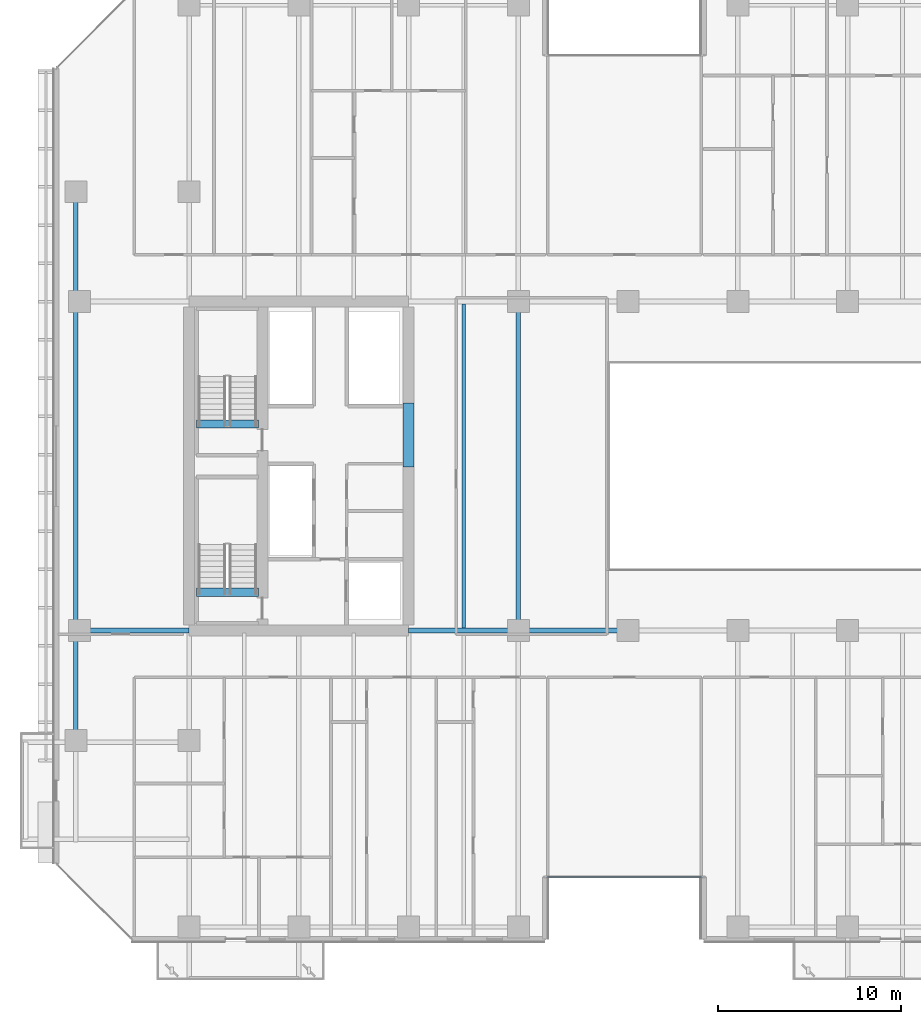
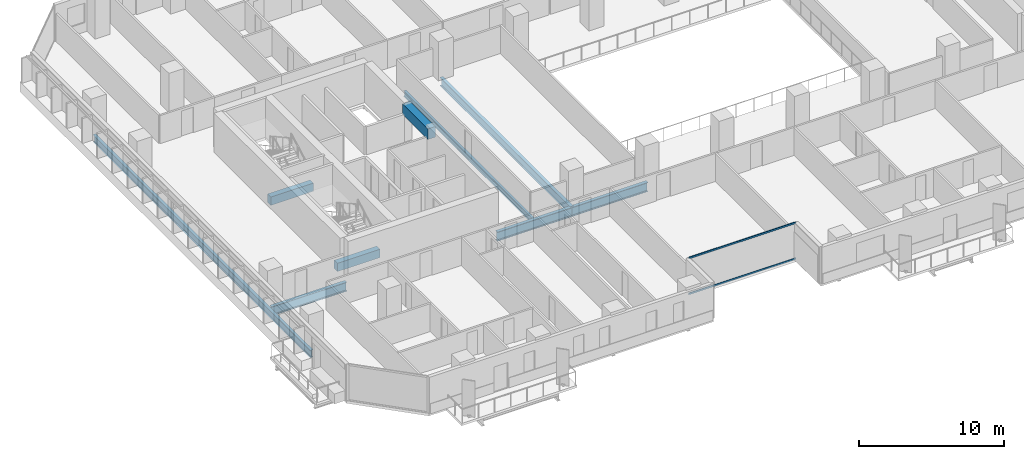
# One storey, part 5 of 33: 9 beams, 2 members, 1 element without a shape of its own.
"""IFC4 building model written with IfcOpenShell, lengths in metres."""

from ifc_helpers import new_model, si_unit, direction, frame, origin, origin_2d, place, context, subcontext, project, spatial, rectangle, hollow_rectangle, i_section, extrude, material, layer, layer_set, material_profile, profile_set, type_object, element, aggregate, save


model = new_model("IFC4")

# Units and contexts
model_context = context("Model", 3, precision=1e-05, world=origin(), true_north=direction((0.0, 1.0)))
body_context = subcontext(model_context, "Body", "Model", "MODEL_VIEW")
ifc_project = project(units=[si_unit("LENGTHUNIT", "METRE"), si_unit("AREAUNIT", "SQUARE_METRE"), si_unit("VOLUMEUNIT", "CUBIC_METRE"), si_unit("PLANEANGLEUNIT", "RADIAN"), si_unit("MASSUNIT", "GRAM", prefix="KILO")], contexts=[model_context])

# Site, building, storey
site_placement = place(None, origin())
site = spatial("IfcSite", under=ifc_project, at=site_placement, CompositionType="ELEMENT")
building_placement = place(site_placement, origin())
building = spatial("IfcBuilding", under=site, at=building_placement, Name="Tanjung Sevakor Pilgrim Tower", CompositionType="ELEMENT")
storey_placement = place(building_placement, frame((0.0, 0.0, 35.639892578125)))
storey = spatial("IfcBuildingStorey", under=building, at=storey_placement, Name="L09", CompositionType="ELEMENT", Elevation=35.639892578125)

# Beams
ifc_material_1 = material(Name="Steel S355J2", Category="steel")
ifc_material_profile_1 = material_profile(ifc_material_1, i_section(OverallWidth=0.26806640625, OverallDepth=0.769775390625, WebThickness=0.015625, FlangeThickness=0.025390625, FilletRadius=0.0166015625, at=origin_2d()))
ifc_profile_set_1 = profile_set([ifc_material_profile_1], Name="Steel S355J2")
beam_type_1 = type_object("IfcBeamType", Name="BM-B-G1-UB_762x267x197", PredefinedType="BEAM", material=ifc_profile_set_1)
for number, where, z_axis, x_axis, name in (
    (1, (18.0, 24.60009765625, -0.604736328125), (1.0, 0.0, 0.0), (0.0, 1.0, 0.0), "L09 Primary Floor Girder MAIN Y246-01"),
    (2, (36.0, 24.60009765625, -0.604736328125), (1.0, 0.0, 0.0), (0.0, 1.0, 0.0), "L09 Primary Floor Girder MAIN Y246-02"),
    (3, (42.0, 24.60009765625, -0.604736328125), (1.0, 0.0, 0.0), (0.0, 1.0, 0.0), "L09 Primary Floor Girder MAIN Y246-03"),
):
    element("IfcBeam", number, at=place(storey_placement, frame(where, z_axis=z_axis, x_axis=x_axis)), inside=storey, type_object=beam_type_1, Name=name, PredefinedType="BEAM", context=body_context, shape_type="SweptSolid", body=[
        extrude(i_section(OverallWidth=0.26806640625, OverallDepth=0.769775390625, WebThickness=0.015625, FlangeThickness=0.025390625, FilletRadius=0.0166015625, at=origin_2d()), origin(), (0.0, 0.0, 1.0), 6.0),
    ])
ifc_material_2 = material(Name="Steel S355J2", Category="steel")
ifc_material_profile_2 = material_profile(ifc_material_2, i_section(OverallWidth=0.25439453125, OverallDepth=0.6875, WebThickness=0.01318359375, FlangeThickness=0.02099609375, FilletRadius=0.01513671875, at=origin_2d()))
ifc_profile_set_2 = profile_set([ifc_material_profile_2], Name="Steel S355J2")
beam_type_2 = type_object("IfcBeamType", Name="BM-B-G2-UB_686x254x152", PredefinedType="BEAM", material=ifc_profile_set_2)
beam_1_placement = place(storey_placement, frame((42.0, 24.60009765625, -0.5634765625), z_axis=(0.0, 1.0, 0.0), x_axis=(-1.0, 0.0, 0.0)))
element("IfcBeam", 4, at=beam_1_placement, inside=storey, type_object=beam_type_2, Name="L09 MAIN Girder 011", PredefinedType="BEAM", context=body_context, shape_type="SweptSolid", body=[
    extrude(i_section(OverallWidth=0.25439453125, OverallDepth=0.6875, WebThickness=0.01318359375, FlangeThickness=0.02099609375, FilletRadius=0.01513671875, at=origin_2d()), origin(), (0.0, 0.0, 1.0), 18.0),
])
ifc_material_3 = material(Name="Steel S355J2", Category="steel")
ifc_material_profile_3 = material_profile(ifc_material_3, i_section(OverallWidth=0.22900390625, OverallDepth=0.6123046875, WebThickness=0.011962890625, FlangeThickness=0.01953125, FilletRadius=0.0126953125, at=origin_2d()))
ifc_profile_set_3 = profile_set([ifc_material_profile_3], Name="Steel S355J2")
beam_type_3 = type_object("IfcBeamType", Name="BM-B-G4-UB_610x229x125", PredefinedType="BEAM", material=ifc_profile_set_3)
beam_2_placement = place(storey_placement, frame((17.800048828125, 18.60009765625, -0.52587890625), z_axis=(0.0, 1.0, 0.0), x_axis=(-1.0, 0.0, 0.0)))
element("IfcBeam", 5, at=beam_2_placement, inside=storey, type_object=beam_type_3, Name="L09 Short-End Edge Girder W", PredefinedType="BEAM", context=body_context, shape_type="SweptSolid", body=[
    extrude(i_section(OverallWidth=0.22900390625, OverallDepth=0.6123046875, WebThickness=0.011962890625, FlangeThickness=0.01953125, FilletRadius=0.0126953125, at=origin_2d()), origin(), (0.0, 0.0, 1.0), 30.0),
])
ifc_material_4 = material(Name="Steel S355J2", Category="steel")
ifc_material_profile_4 = material_profile(ifc_material_4, i_section(OverallWidth=0.19140625, OverallDepth=0.4599609375, WebThickness=0.010009765625, FlangeThickness=0.01611328125, FilletRadius=0.01025390625, at=origin_2d()))
ifc_profile_set_4 = profile_set([ifc_material_profile_4], Name="Steel S355J2")
beam_type_4 = type_object("IfcBeamType", Name="BM-B-J2-UB_457x191x82", PredefinedType="JOIST", material=ifc_profile_set_4)
beam_3_placement = place(storey_placement, frame((39.0, 24.73388671875, -0.449951171875), z_axis=(0.0, 1.0, 0.0), x_axis=(-1.0, 0.0, 0.0)))
element("IfcBeam", 6, at=beam_3_placement, inside=storey, type_object=beam_type_4, Name="L09 MAIN Joist 008", PredefinedType="JOIST", context=body_context, shape_type="SweptSolid", body=[
    extrude(i_section(OverallWidth=0.19140625, OverallDepth=0.4599609375, WebThickness=0.010009765625, FlangeThickness=0.01611328125, FilletRadius=0.01025390625, at=origin_2d()), origin(), (0.0, 0.0, 1.0), 17.732177734375),
])
ifc_material_5 = material(Name="Concrete C60/75", Category="concrete")
ifc_material_profile_5 = material_profile(ifc_material_5, rectangle(XDim=0.60009765625, YDim=0.89990234375, at=origin_2d()))
ifc_profile_set_5 = profile_set([ifc_material_profile_5], Name="Concrete C60/75")
beam_type_5 = type_object("IfcBeamType", Name="BM-B-LN1-RC-BM_600x900", PredefinedType="LINTEL", material=ifc_profile_set_5)
beam_4_placement = place(storey_placement, frame((36.0, 33.550048828125, 2.630126953125), z_axis=(0.0, 1.0, 0.0), x_axis=(-1.0, 0.0, 0.0)))
element("IfcBeam", 7, at=beam_4_placement, inside=storey, type_object=beam_type_5, Name="L09 W Core Coupling Lintel", PredefinedType="LINTEL", context=body_context, shape_type="SweptSolid", body=[
    extrude(rectangle(XDim=0.60009765625, YDim=0.89990234375, at=origin_2d()), origin(), (0.0, 0.0, 1.0), 3.5),
])
ifc_material_6 = material(Name="Concrete C60/75", Category="concrete")
ifc_material_profile_6 = material_profile(ifc_material_6, rectangle(XDim=0.449951171875, YDim=0.699951171875, at=origin_2d()))
ifc_profile_set_6 = profile_set([ifc_material_profile_6], Name="Concrete C60/75")
beam_type_6 = type_object("IfcBeamType", Name="BM-B-LN3-RC-BM_450x700", PredefinedType="LINTEL", material=ifc_profile_set_6)
for number, where, z_axis, x_axis, name in (
    (8, (24.39990234375, 26.699951171875, -0.349853515625), (1.0, 0.0, 0.0), (0.0, 1.0, 0.0), "L09 TS-W1 Stair Threshold Beam"),
    (9, (24.39990234375, 35.89990234375, -0.349853515625), (1.0, 0.0, 0.0), (0.0, 1.0, 0.0), "L09 TS-W2 Stair Threshold Beam"),
):
    element("IfcBeam", number, at=place(storey_placement, frame(where, z_axis=z_axis, x_axis=x_axis)), inside=storey, type_object=beam_type_6, Name=name, PredefinedType="LINTEL", context=body_context, shape_type="SweptSolid", body=[
        extrude(rectangle(XDim=0.449951171875, YDim=0.699951171875, at=origin_2d()), origin(), (0.0, 0.0, 1.0), 3.400146484375),
    ])

# Curtain wall, members
ifc_material_7 = material(Name="Aluminium 6063-T6 and Low-E Glass", Category="aluminium")
ifc_layer = layer(ifc_material_7, 0.179931640625)
ifc_layer_set = layer_set([ifc_layer], Name="CW-SYS-CLEFT")
curtain_wall_type = type_object("IfcCurtainWallType", Name="CW-SYS-CLEFT", PredefinedType="NOTDEFINED", material=ifc_layer_set)
curtain_wall_placement = place(storey_placement, origin())
curtain_wall = element("IfcCurtainWall", 10, at=curtain_wall_placement, inside=storey, type_object=curtain_wall_type, Name="L09 Curtain Wall CW-CLF-L09-2", PredefinedType="NOTDEFINED")
ifc_material_8 = material(Name="Aluminium 6063-T6", Category="aluminium")
ifc_material_profile_7 = material_profile(ifc_material_8, hollow_rectangle(XDim=0.06494140625, YDim=0.139892578125, WallThickness=0.00390625, at=origin_2d()))
ifc_profile_set_7 = profile_set([ifc_material_profile_7], Name="Aluminium 6063-T6")
member_type = type_object("IfcMemberType", Name="TYPE-CWT-1", PredefinedType="USERDEFINED", material=ifc_profile_set_7)
member_1_placement = place(storey_placement, frame((43.534912109375, 11.139892578125, 0.03271484375), z_axis=(1.0, 0.0, 0.0), x_axis=(0.0, 1.0, 0.0)))
member_1 = element("IfcMember", 11, at=member_1_placement, type_object=member_type, Name="CW-CLF transom 1.1", ObjectType="TRANSOM", PredefinedType="USERDEFINED", context=body_context, shape_type="SweptSolid", body=[
    extrude(hollow_rectangle(XDim=0.06494140625, YDim=0.139892578125, WallThickness=0.00390625, at=origin_2d()), origin(), (0.0, 0.0, 1.0), 8.530029296875),
])
member_2_placement = place(storey_placement, frame((43.534912109375, 11.139892578125, 3.047607421875), z_axis=(1.0, 0.0, 0.0), x_axis=(0.0, 1.0, 0.0)))
member_2 = element("IfcMember", 12, at=member_2_placement, type_object=member_type, Name="CW-CLF transom 1.2", ObjectType="TRANSOM", PredefinedType="USERDEFINED", context=body_context, shape_type="SweptSolid", body=[
    extrude(hollow_rectangle(XDim=0.06494140625, YDim=0.139892578125, WallThickness=0.00390625, at=origin_2d()), origin(), (0.0, 0.0, 1.0), 8.530029296875),
])
aggregate(curtain_wall, [member_1, member_2])

save(model, "model.ifc")
